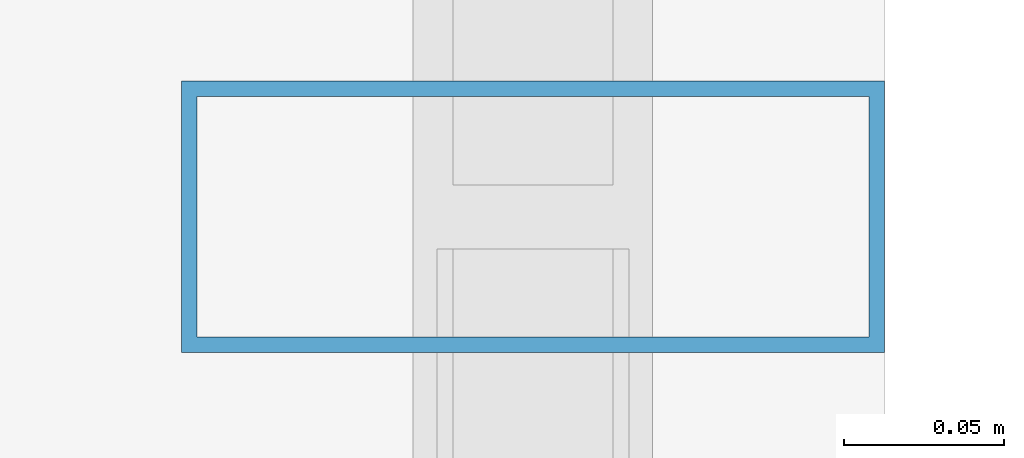
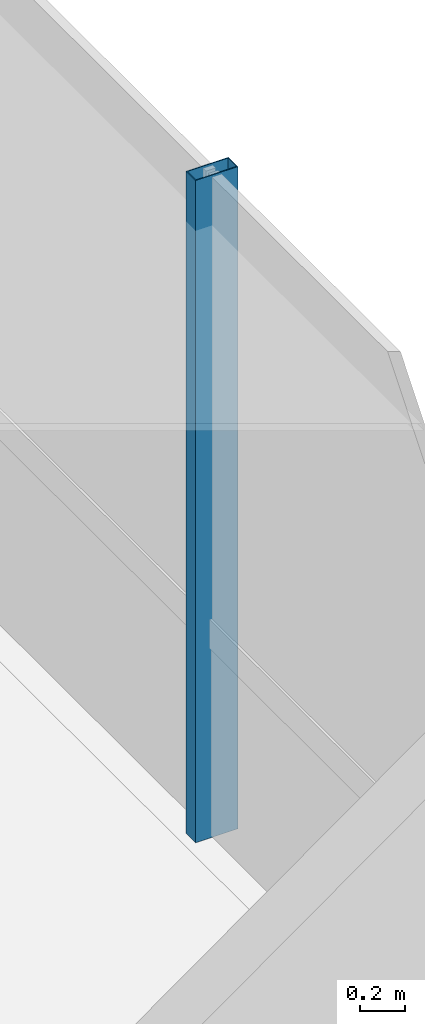
# One storey, part 14 of 36: 1 member, 1 element without a shape of its own.
"""IFC4 building model written with IfcOpenShell, lengths in metres."""

from ifc_helpers import new_model, si_unit, direction, frame, origin, origin_2d, place, context, subcontext, project, spatial, hollow_rectangle, extrude, source, transform, mapped, material, material_profile, profile_set, type_object, element, aggregate, save


model = new_model("IFC4")

# Units and contexts
model_context = context("Model", 3, precision=1e-05, world=origin(), true_north=direction((0.0, 1.0)))
body_context = subcontext(model_context, "Body", "Model", "MODEL_VIEW")
ifc_project = project(units=[si_unit("LENGTHUNIT", "METRE"), si_unit("AREAUNIT", "SQUARE_METRE"), si_unit("VOLUMEUNIT", "CUBIC_METRE"), si_unit("PLANEANGLEUNIT", "RADIAN"), si_unit("MASSUNIT", "GRAM", prefix="KILO")], contexts=[model_context])

# Site, building, storey
site_placement = place(None, origin())
site = spatial("IfcSite", under=ifc_project, at=site_placement, CompositionType="ELEMENT")
building_placement = place(site_placement, origin())
building = spatial("IfcBuilding", under=site, at=building_placement, Name="Valdorenza Pilgrim Sanctuary Tower", CompositionType="ELEMENT")
storey_placement = place(building_placement, frame((0.0, 0.0, 176.550048828125)))
storey = spatial("IfcBuildingStorey", under=building, at=storey_placement, Name="L45", CompositionType="ELEMENT", Elevation=176.550048828125)

# Curtain wall, member
ifc_material_1 = material(Name="Curtain-wall IGU glazing", Category="glass")
curtain_wall_type = type_object("IfcCurtainWallType", Name="CW-SYS-03", PredefinedType="NOTDEFINED", material=ifc_material_1)
curtain_wall_placement = place(storey_placement, origin())
curtain_wall = element("IfcCurtainWall", 1, at=curtain_wall_placement, inside=storey, type_object=curtain_wall_type, Name="L45 Curtain Wall CW-L45-1-37", PredefinedType="NOTDEFINED")
ifc_material_2 = material(Name="Anodised aluminium AW-6060", Category="aluminium")
ifc_material_profile = material_profile(ifc_material_2, hollow_rectangle(XDim=0.0849609375, YDim=0.219970703125, WallThickness=0.0048828125, at=origin_2d()), Name="ALU-M 220x85x5")
ifc_profile_set = profile_set([ifc_material_profile], Name="Anodised aluminium AW-6060")
member_type = type_object("IfcMemberType", Name="CW-MUL-03", PredefinedType="MULLION", material=ifc_profile_set)
shared_shape = source(origin(), body_context, "Body", "SweptSolid", [
    extrude(hollow_rectangle(XDim=0.0849609375, YDim=0.219970703125, WallThickness=0.0048828125, at=origin_2d()), origin(), (0.0, 0.0, 1.0), 3.6298828125),
])
member_placement = place(storey_placement, frame((29.68994140625, 1.589599609375, 0.0), z_axis=(0.0, 0.0, 1.0), x_axis=(0.0, -1.0, 0.0)))
member = element("IfcMember", 2, at=member_placement, type_object=member_type, Name="CW-L45-1-37 Mullion 3", PredefinedType="MULLION", context=body_context, shape_type="MappedRepresentation", body=[
    mapped(shared_shape, transform((0.0, 0.0, 0.0), x_axis=(1.0, 0.0, 0.0), y_axis=(0.0, 1.0, 0.0), z_axis=(0.0, 0.0, 1.0), scale=1.0)),
])
aggregate(curtain_wall, [member])

save(model, "model.ifc")
